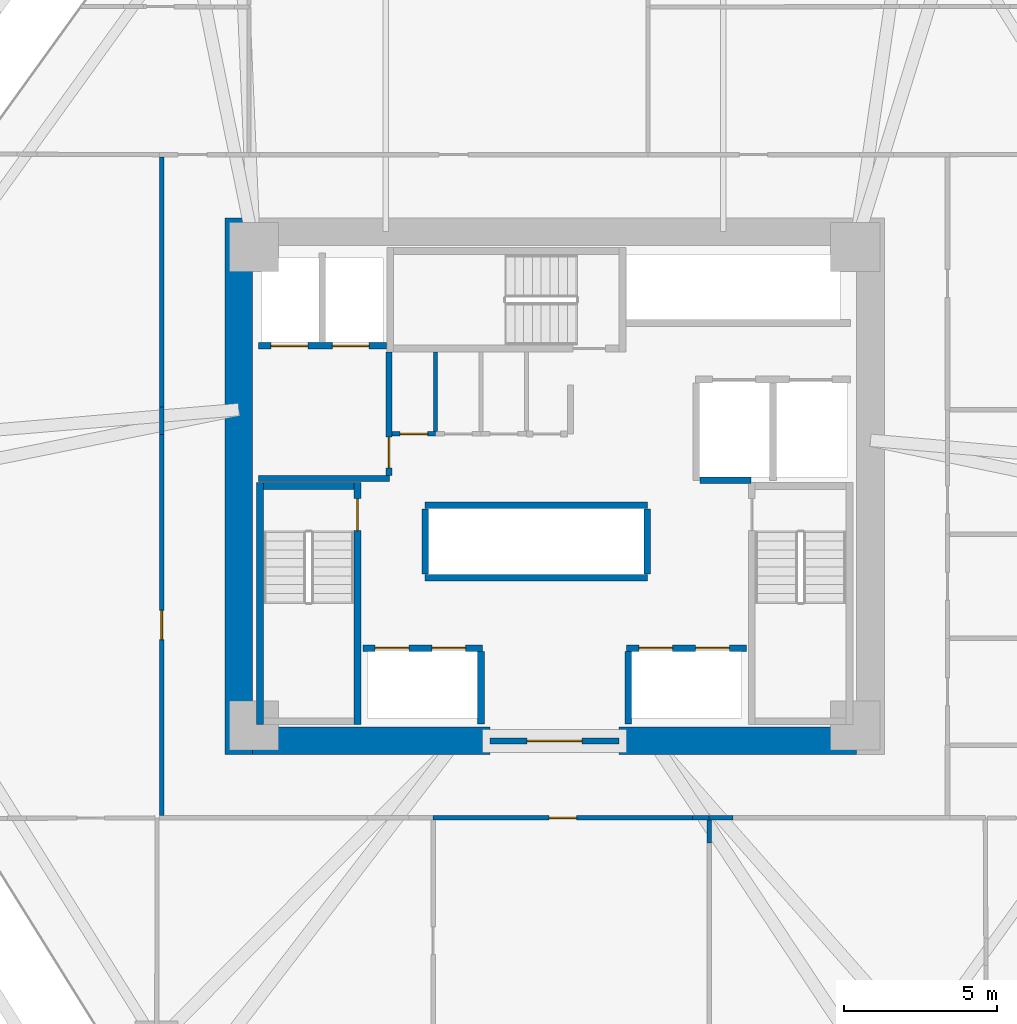
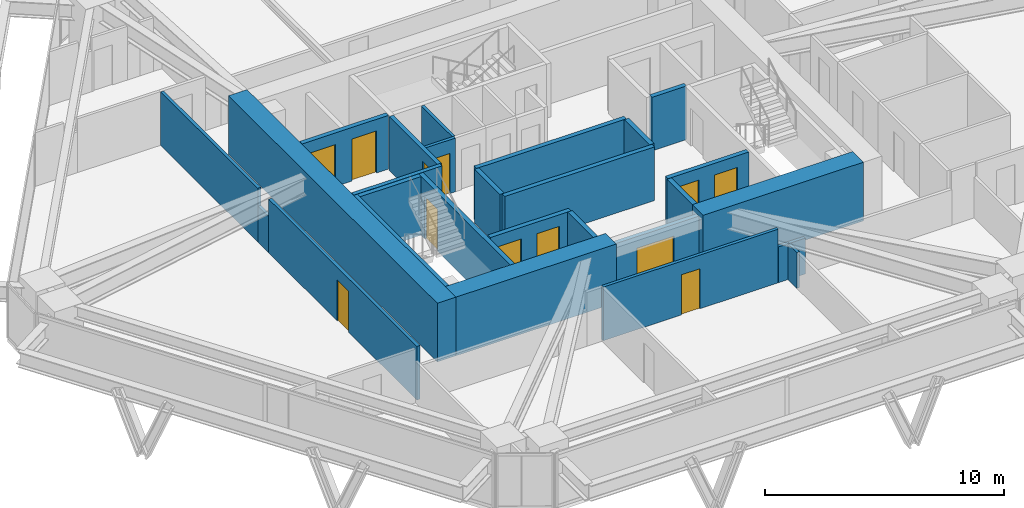
# One storey, part 11 of 15: 28 walls, 12 doors, 12 openings.
"""IFC4 building model written with IfcOpenShell, lengths in metres."""

from ifc_helpers import new_model, si_unit, direction, frame, frame_2d, origin, place, context, subcontext, project, spatial, rectangle, extrude, source, transform, mapped, material, layer, layer_set, type_object, type_shapes, element, fill, save


model = new_model("IFC4")

# Units and contexts
model_context = context("Model", 3, precision=1e-05, world=origin(), true_north=direction((0.0, 1.0)))
body_context = subcontext(model_context, "Body", "Model", "MODEL_VIEW")
ifc_project = project(units=[si_unit("LENGTHUNIT", "METRE"), si_unit("AREAUNIT", "SQUARE_METRE"), si_unit("VOLUMEUNIT", "CUBIC_METRE"), si_unit("PLANEANGLEUNIT", "RADIAN"), si_unit("MASSUNIT", "GRAM", prefix="KILO")], contexts=[model_context])

# Site, building, storey
site_placement = place(None, origin())
site = spatial("IfcSite", under=ifc_project, at=site_placement, CompositionType="ELEMENT")
building_placement = place(site_placement, origin())
building = spatial("IfcBuilding", under=site, at=building_placement, Name="Durnholm Broadcast Tower", CompositionType="ELEMENT")
storey_placement = place(building_placement, frame((0.0, 0.0, 81.300048828125)))
storey = spatial("IfcBuildingStorey", under=building, at=storey_placement, Name="L21", CompositionType="ELEMENT", Elevation=81.300048828125)

# Walls
ifc_material_1 = material(Name="Concrete C70/85", Category="concrete")
ifc_layer_1 = layer(ifc_material_1, 0.89990234375)
ifc_layer_set_1 = layer_set([ifc_layer_1], Name="Concrete C70/85")
wall_type_1 = type_object("IfcWallType", Name="WALL-CW-900", PredefinedType="SHEAR", material=ifc_layer_set_1)
wall_1_placement = place(storey_placement, frame((-10.300048828125, -8.75, 0.0), z_axis=(0.0, 0.0, 1.0), x_axis=(0.0, 1.0, 0.0)))
element("IfcWall", 1, at=wall_1_placement, inside=storey, type_object=wall_type_1, Name="L21 central core shear wall CW-WEST", PredefinedType="SHEAR", context=body_context, shape_type="SweptSolid", body=[
    extrude(rectangle(XDim=17.5, YDim=0.89990234375, at=frame_2d((8.75, 0.0))), origin(), (0.0, 0.0, 1.0), 3.0),
])
for number, where, z_axis, x_axis, name in (
    (2, (-9.85009765625, -8.300048828125, 0.0), (0.0, 0.0, 1.0), (1.0, 0.0, 0.0), "L21 central core shear wall CW-S1"),
    (3, (2.10009765625, -8.300048828125, 0.0), (0.0, 0.0, 1.0), (1.0, 0.0, 0.0), "L21 central core shear wall CW-S2"),
):
    element("IfcWall", number, at=place(storey_placement, frame(where, z_axis=z_axis, x_axis=x_axis)), inside=storey, type_object=wall_type_1, Name=name, PredefinedType="SHEAR", context=body_context, shape_type="SweptSolid", body=[
        extrude(rectangle(XDim=7.75, YDim=0.89990234375, at=frame_2d((3.875, 0.0))), origin(), (0.0, 0.0, 1.0), 3.0),
    ])

# Wall, opening, door
ifc_material_2 = material(Name="Fire-Rated Gypsum Shaftwall", Category="concrete")
ifc_layer_2 = layer(ifc_material_2, 0.199951171875)
ifc_layer_set_2 = layer_set([ifc_layer_2], Name="Fire-Rated Gypsum Shaftwall")
wall_type_2 = type_object("IfcWallType", Name="WALL-LOB-200", PredefinedType="SOLIDWALL", material=ifc_layer_set_2)
wall_2_placement = place(storey_placement, frame((-2.10009765625, -8.300048828125, 0.0), z_axis=(0.0, 0.0, 1.0), x_axis=(1.0, 0.0, 0.0)))
wall_2 = element("IfcWall", 4, at=wall_2_placement, inside=storey, type_object=wall_type_2, Name="L21 south core lobby fire screen", PredefinedType="SOLIDWALL", context=body_context, shape_type="SweptSolid", body=[
    extrude(rectangle(XDim=4.2001953125, YDim=0.199951171875, at=frame_2d((2.10009765625, 0.0))), origin(), (0.0, 0.0, 1.0), 2.744873046875),
])
opening_1_placement = place(wall_2_placement, frame((1.199951171875, 0.0, 0.0)))
opening_1 = element("IfcOpeningElement", 5, at=opening_1_placement, cuts=wall_2, Name="Opening DP-60", PredefinedType="OPENING", context=body_context, shape_type="SweptSolid", body=[
    extrude(rectangle(XDim=1.800048828125, YDim=2.14990234375, at=frame_2d((0.89990234375, 1.074951171875))), frame((0.0, 0.10986328125, 0.0), z_axis=(0.0, -1.0, 0.0), x_axis=(1.0, 0.0, 0.0)), (0.0, 0.0, 1.0), 0.219970703125),
])
ifc_material_3 = material(Name="Fire-Rated Double Corridor Door", Category="steel")
ifc_layer_3 = layer(ifc_material_3, 0.050048828125)
ifc_layer_set_3 = layer_set([ifc_layer_3], Name="Fire-Rated Double Corridor Door")
door_type_1 = type_object("IfcDoorType", Name="DOOR-PAIR-FD60", OperationType="DOUBLE_DOOR_SINGLE_SWING", PredefinedType="DOOR", material=ifc_layer_set_3)
shared_shape_1 = source(origin(), body_context, "Body", "SweptSolid", [
    extrude(rectangle(XDim=1.800048828125, YDim=2.14990234375, at=frame_2d((0.89990234375, 1.074951171875))), frame((0.0, 0.02490234375, 0.0), z_axis=(0.0, -1.0, 0.0), x_axis=(1.0, 0.0, 0.0)), (0.0, 0.0, 1.0), 0.050048828125),
])
type_shapes(door_type_1, [shared_shape_1])
door_1_placement = place(opening_1_placement, origin())
door_1 = element("IfcDoor", 6, at=door_1_placement, inside=storey, type_object=door_type_1, Name="L21 south core lobby double fire door", OperationType="DOUBLE_DOOR_SINGLE_SWING", OverallHeight=2.14990234375, OverallWidth=1.800048828125, PredefinedType="DOOR", context=body_context, shape_type="MappedRepresentation", body=[
    mapped(shared_shape_1, transform((0.0, 0.0, 0.0), x_axis=(1.0, 0.0, 0.0), y_axis=(0.0, 1.0, 0.0), z_axis=(0.0, 0.0, 1.0), scale=1.0)),
])
fill(opening_1, door_1)

# Wall
wall_3_placement = place(storey_placement, frame((-9.64990234375, 0.25, 0.0), z_axis=(0.0, 0.0, 1.0), x_axis=(1.0, 0.0, 0.0)))
element("IfcWall", 7, at=wall_3_placement, inside=storey, type_object=wall_type_2, Name="L21 Fire Service Access Elevator lobby south wall", PredefinedType="SOLIDWALL", context=body_context, shape_type="SweptSolid", body=[
    extrude(rectangle(XDim=4.27001953125, YDim=0.199951171875, at=frame_2d((2.135009765625, 0.0))), origin(), (0.0, 0.0, 1.0), 2.744873046875),
])

# Wall, opening, door
wall_4_placement = place(storey_placement, frame((-5.39990234375, 0.35400390625, 0.0), z_axis=(0.0, 0.0, 1.0), x_axis=(0.0, 1.0, 0.0)))
wall_4 = element("IfcWall", 8, at=wall_4_placement, inside=storey, type_object=wall_type_2, Name="L21 Fire Service Access Elevator lobby east fire wall", PredefinedType="SOLIDWALL", context=body_context, shape_type="SweptSolid", body=[
    extrude(rectangle(XDim=4.02587890625, YDim=0.199951171875, at=frame_2d((2.012939453125, 0.0))), origin(), (0.0, 0.0, 1.0), 2.744873046875),
])
opening_2_placement = place(wall_4_placement, frame((0.24609375, 0.0, 0.0)))
opening_2 = element("IfcOpeningElement", 9, at=opening_2_placement, cuts=wall_4, Name="Opening DL-60R", PredefinedType="OPENING", context=body_context, shape_type="SweptSolid", body=[
    extrude(rectangle(XDim=1.0, YDim=2.14990234375, at=frame_2d((0.5, 1.074951171875))), frame((0.0, 0.10986328125, 0.0), z_axis=(0.0, -1.0, 0.0), x_axis=(1.0, 0.0, 0.0)), (0.0, 0.0, 1.0), 0.219970703125),
])
ifc_material_4 = material(Name="Fire-Rated Timber/Steel Door", Category="steel")
ifc_layer_4 = layer(ifc_material_4, 0.050048828125)
ifc_layer_set_4 = layer_set([ifc_layer_4], Name="Fire-Rated Timber/Steel Door")
door_type_2 = type_object("IfcDoorType", Name="DOOR-LOB-FD60-R", OperationType="NOTDEFINED", PredefinedType="DOOR", material=ifc_layer_set_4)
shared_shape_2 = source(origin(), body_context, "Body", "SweptSolid", [
    extrude(rectangle(XDim=1.0, YDim=2.14990234375, at=frame_2d((0.5, 1.074951171875))), frame((0.0, 0.02490234375, 0.0), z_axis=(0.0, -1.0, 0.0), x_axis=(1.0, 0.0, 0.0)), (0.0, 0.0, 1.0), 0.050048828125),
])
type_shapes(door_type_2, [shared_shape_2])
door_2_placement = place(opening_2_placement, origin())
door_2 = element("IfcDoor", 10, at=door_2_placement, inside=storey, type_object=door_type_2, Name="L21 Fire Service Access Elevator lobby smoke door", OperationType="SINGLE_SWING_RIGHT", OverallHeight=2.14990234375, OverallWidth=1.0, PredefinedType="DOOR", context=body_context, shape_type="MappedRepresentation", body=[
    mapped(shared_shape_2, transform((0.0, 0.0, 0.0), x_axis=(1.0, 0.0, 0.0), y_axis=(0.0, 1.0, 0.0), z_axis=(0.0, 0.0, 1.0), scale=1.0)),
])
fill(opening_2, door_2)

# Walls
ifc_material_5 = material(Name="Gypsum Metal Stud Partition", Category="concrete")
ifc_layer_5 = layer(ifc_material_5, 0.135009765625)
ifc_layer_set_5 = layer_set([ifc_layer_5], Name="Gypsum Metal Stud Partition")
wall_type_3 = type_object("IfcWallType", Name="WALL-PART-135", PredefinedType="PARTITIONING", material=ifc_layer_set_5)
wall_5_placement = place(storey_placement, frame((-3.8798828125, 4.375, 0.0), z_axis=(0.0, 0.0, 1.0), x_axis=(0.0, -1.0, 0.0)))
element("IfcWall", 11, at=wall_5_placement, inside=storey, type_object=wall_type_3, Name="L21 room dividing partition 1.2", PredefinedType="PARTITIONING", context=body_context, shape_type="SweptSolid", body=[
    extrude(rectangle(XDim=2.5859375, YDim=0.135009765625, at=frame_2d((1.29296875, 0.0))), origin(), (0.0, 0.0, 1.0), 2.744873046875),
])
wall_6_placement = place(storey_placement, frame((5.0400390625, -10.888916015625, 0.0), z_axis=(0.0, 0.0, 1.0), x_axis=(0.0, -1.0, 0.0)))
element("IfcWall", 12, at=wall_6_placement, inside=storey, type_object=wall_type_3, Name="L21 room dividing partition 15.16", PredefinedType="PARTITIONING", context=body_context, shape_type="SweptSolid", body=[
    extrude(rectangle(XDim=0.73779296875, YDim=0.135009765625, at=frame_2d((0.368896484375, 0.0))), origin(), (0.0, 0.0, 1.0), 1.830078125),
])

# Wall, opening, door
ifc_material_6 = material(Name="Acoustic Gypsum Stud Partition", Category="concrete")
ifc_layer_6 = layer(ifc_material_6, 0.14990234375)
ifc_layer_set_6 = layer_set([ifc_layer_6], Name="Acoustic Gypsum Stud Partition")
wall_type_4 = type_object("IfcWallType", Name="WALL-PART-150", PredefinedType="PARTITIONING", material=ifc_layer_set_6)
wall_7_placement = place(storey_placement, frame((-3.8798828125, 1.7099609375, 0.0), z_axis=(0.0, 0.0, 1.0), x_axis=(-1.0, 0.0, 0.0)))
wall_7 = element("IfcWall", 13, at=wall_7_placement, inside=storey, type_object=wall_type_4, Name="L21 Core First Aid Store corridor partition", PredefinedType="PARTITIONING", context=body_context, shape_type="SweptSolid", body=[
    extrude(rectangle(XDim=1.416015625, YDim=0.14990234375, at=frame_2d((0.7080078125, 0.0))), origin(), (0.0, 0.0, 1.0), 2.744873046875),
])
opening_3_placement = place(wall_7_placement, frame((0.258056640625, 0.0, 0.0)))
opening_3 = element("IfcOpeningElement", 14, at=opening_3_placement, cuts=wall_7, Name="Opening DC-60R", PredefinedType="OPENING", context=body_context, shape_type="SweptSolid", body=[
    extrude(rectangle(XDim=0.89990234375, YDim=2.050048828125, at=frame_2d((0.449951171875, 1.02490234375))), frame((0.0, 0.0849609375, 0.0), z_axis=(0.0, -1.0, 0.0), x_axis=(1.0, 0.0, 0.0)), (0.0, 0.0, 1.0), 0.169921875),
])
ifc_material_7 = material(Name="Fire-Rated Core Service Door", Category="steel")
ifc_layer_7 = layer(ifc_material_7, 0.050048828125)
ifc_layer_set_7 = layer_set([ifc_layer_7], Name="Fire-Rated Core Service Door")
door_type_3 = type_object("IfcDoorType", Name="DOOR-CORE-FD60-R", OperationType="NOTDEFINED", PredefinedType="DOOR", material=ifc_layer_set_7)
shared_shape_3 = source(origin(), body_context, "Body", "SweptSolid", [
    extrude(rectangle(XDim=0.89990234375, YDim=2.050048828125, at=frame_2d((0.449951171875, 1.02490234375))), frame((0.0, 0.02490234375, 0.0), z_axis=(0.0, -1.0, 0.0), x_axis=(1.0, 0.0, 0.0)), (0.0, 0.0, 1.0), 0.050048828125),
])
type_shapes(door_type_3, [shared_shape_3])
door_3_placement = place(opening_3_placement, origin())
door_3 = element("IfcDoor", 15, at=door_3_placement, inside=storey, type_object=door_type_3, Name="L21 Core First Aid Store entrance door", OperationType="SINGLE_SWING_RIGHT", OverallHeight=2.050048828125, OverallWidth=0.89990234375, PredefinedType="DOOR", context=body_context, shape_type="MappedRepresentation", body=[
    mapped(shared_shape_3, transform((0.0, 0.0, 0.0), x_axis=(1.0, 0.0, 0.0), y_axis=(0.0, 1.0, 0.0), z_axis=(0.0, 0.0, 1.0), scale=1.0)),
])
fill(opening_3, door_3)

wall_8_placement = place(storey_placement, frame((-3.9599609375, -10.81005859375, 0.0), z_axis=(0.0, 0.0, 1.0), x_axis=(1.0, 0.0, 0.0)))
wall_8 = element("IfcWall", 16, at=wall_8_placement, inside=storey, type_object=wall_type_4, Name="L21 Supply Store corridor partition", PredefinedType="PARTITIONING", context=body_context, shape_type="SweptSolid", body=[
    extrude(rectangle(XDim=8.459228515625, YDim=0.14990234375, at=frame_2d((4.2294921875, 0.0))), origin(), (0.0, 0.0, 1.0), 2.744873046875),
])
opening_4_placement = place(wall_8_placement, frame((3.779541015625, 0.0, 0.0)))
opening_4 = element("IfcOpeningElement", 17, at=opening_4_placement, cuts=wall_8, Name="Opening DC-60L", PredefinedType="OPENING", context=body_context, shape_type="SweptSolid", body=[
    extrude(rectangle(XDim=0.89990234375, YDim=2.050048828125, at=frame_2d((0.449951171875, 1.02490234375))), frame((0.0, 0.0849609375, 0.0), z_axis=(0.0, -1.0, 0.0), x_axis=(1.0, 0.0, 0.0)), (0.0, 0.0, 1.0), 0.169921875),
])
ifc_layer_8 = layer(ifc_material_7, 0.050048828125)
ifc_layer_set_8 = layer_set([ifc_layer_8], Name="Fire-Rated Core Service Door")
door_type_4 = type_object("IfcDoorType", Name="DOOR-CORE-FD60-L", OperationType="NOTDEFINED", PredefinedType="DOOR", material=ifc_layer_set_8)
shared_shape_4 = source(origin(), body_context, "Body", "SweptSolid", [
    extrude(rectangle(XDim=0.89990234375, YDim=2.050048828125, at=frame_2d((0.449951171875, 1.02490234375))), frame((0.0, 0.02490234375, 0.0), z_axis=(0.0, -1.0, 0.0), x_axis=(1.0, 0.0, 0.0)), (0.0, 0.0, 1.0), 0.050048828125),
])
type_shapes(door_type_4, [shared_shape_4])
door_4_placement = place(opening_4_placement, origin())
door_4 = element("IfcDoor", 18, at=door_4_placement, inside=storey, type_object=door_type_4, Name="L21 Supply Store entrance door", OperationType="SINGLE_SWING_LEFT", OverallHeight=2.050048828125, OverallWidth=0.89990234375, PredefinedType="DOOR", context=body_context, shape_type="MappedRepresentation", body=[
    mapped(shared_shape_4, transform((0.0, 0.0, 0.0), x_axis=(1.0, 0.0, 0.0), y_axis=(0.0, 1.0, 0.0), z_axis=(0.0, 0.0, 1.0), scale=1.0)),
])
fill(opening_4, door_4)

# Walls
wall_9_placement = place(storey_placement, frame((4.499267578125, -10.81005859375, 0.0), z_axis=(0.0, 0.0, 1.0), x_axis=(1.0, 0.0, 0.0)))
element("IfcWall", 19, at=wall_9_placement, inside=storey, type_object=wall_type_4, Name="L21 Supply Store corridor partition", PredefinedType="PARTITIONING", context=body_context, shape_type="SweptSolid", body=[
    extrude(rectangle(XDim=0.540771484375, YDim=0.14990234375, at=frame_2d((0.2705078125, 0.0))), origin(), (0.0, 0.0, 1.0), 1.830078125),
])
wall_10_placement = place(storey_placement, frame((5.0400390625, -10.81005859375, 0.0), z_axis=(0.0, 0.0, 1.0), x_axis=(1.0, 0.0, 0.0)))
element("IfcWall", 20, at=wall_10_placement, inside=storey, type_object=wall_type_4, Name="L21 Open Plan Broadcast Workspace 4 corridor partition", PredefinedType="PARTITIONING", context=body_context, shape_type="SweptSolid", body=[
    extrude(rectangle(XDim=0.77734375, YDim=0.14990234375, at=frame_2d((0.388671875, 0.0))), origin(), (0.0, 0.0, 1.0), 1.830078125),
])
wall_11_placement = place(storey_placement, frame((-12.81005859375, 10.73095703125, 0.0), z_axis=(0.0, 0.0, 1.0), x_axis=(0.0, -1.0, 0.0)))
element("IfcWall", 21, at=wall_11_placement, inside=storey, type_object=wall_type_4, Name="L21 Bureau Meeting Room corridor partition", PredefinedType="PARTITIONING", context=body_context, shape_type="SweptSolid", body=[
    extrude(rectangle(XDim=8.138671875, YDim=0.14990234375, at=frame_2d((4.0693359375, 0.0))), origin(), (0.0, 0.0, 1.0), 2.744873046875),
])

# Wall, opening, door
wall_12_placement = place(storey_placement, frame((-12.81005859375, 1.682373046875, 0.0), z_axis=(0.0, 0.0, 1.0), x_axis=(0.0, -1.0, 0.0)))
wall_12 = element("IfcWall", 22, at=wall_12_placement, inside=storey, type_object=wall_type_4, Name="L21 Bureau Meeting Room corridor partition", PredefinedType="PARTITIONING", context=body_context, shape_type="SweptSolid", body=[
    extrude(rectangle(XDim=12.413330078125, YDim=0.14990234375, at=frame_2d((6.20654296875, 0.0))), origin(), (0.0, 0.0, 1.0), 2.744873046875),
])
opening_5_placement = place(wall_12_placement, frame((5.731689453125, 0.0, 0.0)))
opening_5 = element("IfcOpeningElement", 23, at=opening_5_placement, cuts=wall_12, Name="Opening DR-95R", PredefinedType="OPENING", context=body_context, shape_type="SweptSolid", body=[
    extrude(rectangle(XDim=0.949951171875, YDim=2.10009765625, at=frame_2d((0.47509765625, 1.050048828125))), frame((0.0, 0.0849609375, 0.0), z_axis=(0.0, -1.0, 0.0), x_axis=(1.0, 0.0, 0.0)), (0.0, 0.0, 1.0), 0.169921875),
])
ifc_material_8 = material(Name="Acoustic Oak Veneer Timber Door", Category="wood")
ifc_layer_9 = layer(ifc_material_8, 0.050048828125)
ifc_layer_set_9 = layer_set([ifc_layer_9], Name="Acoustic Oak Veneer Timber Door")
door_type_5 = type_object("IfcDoorType", Name="DOOR-RM-950R", OperationType="NOTDEFINED", PredefinedType="DOOR", material=ifc_layer_set_9)
shared_shape_5 = source(origin(), body_context, "Body", "SweptSolid", [
    extrude(rectangle(XDim=0.949951171875, YDim=2.10009765625, at=frame_2d((0.47509765625, 1.050048828125))), frame((0.0, 0.02490234375, 0.0), z_axis=(0.0, -1.0, 0.0), x_axis=(1.0, 0.0, 0.0)), (0.0, 0.0, 1.0), 0.050048828125),
])
type_shapes(door_type_5, [shared_shape_5])
door_5_placement = place(opening_5_placement, origin())
door_5 = element("IfcDoor", 24, at=door_5_placement, inside=storey, type_object=door_type_5, Name="L21 Bureau Meeting Room entrance door", OperationType="SINGLE_SWING_RIGHT", OverallHeight=2.10009765625, OverallWidth=0.949951171875, PredefinedType="DOOR", context=body_context, shape_type="MappedRepresentation", body=[
    mapped(shared_shape_5, transform((0.0, 0.0, 0.0), x_axis=(1.0, 0.0, 0.0), y_axis=(0.0, 1.0, 0.0), z_axis=(0.0, 0.0, 1.0), scale=1.0)),
])
fill(opening_5, door_5)

# Wall
wall_13_placement = place(storey_placement, frame((-12.81005859375, 2.59228515625, 0.0), z_axis=(0.0, 0.0, 1.0), x_axis=(0.0, -1.0, 0.0)))
element("IfcWall", 25, at=wall_13_placement, inside=storey, type_object=wall_type_4, Name="L21 Bureau Meeting Room corridor partition", PredefinedType="PARTITIONING", context=body_context, shape_type="SweptSolid", body=[
    extrude(rectangle(XDim=0.909912109375, YDim=0.14990234375, at=frame_2d((0.455078125, 0.0))), origin(), (0.0, 0.0, 1.0), 1.830078125),
])

# Wall, openings, doors
ifc_material_9 = material(Name="Concrete Blockwork C30/37", Category="masonry")
ifc_layer_10 = layer(ifc_material_9, 0.219970703125)
ifc_layer_set_10 = layer_set([ifc_layer_10], Name="Concrete Blockwork C30/37")
wall_type_5 = type_object("IfcWallType", Name="WALL-SHAFT-220", PredefinedType="SOLIDWALL", material=ifc_layer_set_10)
wall_14_placement = place(storey_placement, frame((-9.64990234375, 4.580078125, 0.0), z_axis=(0.0, 0.0, 1.0), x_axis=(1.0, 0.0, 0.0)))
wall_14 = element("IfcWall", 26, at=wall_14_placement, inside=storey, type_object=wall_type_5, Name="L21 FSAE hoistway front fire wall", PredefinedType="SOLIDWALL", context=body_context, shape_type="SweptSolid", body=[
    extrude(rectangle(XDim=4.1748046875, YDim=0.219970703125, at=frame_2d((2.08740234375, 0.0))), origin(), (0.0, 0.0, 1.0), 2.744873046875),
])
opening_6_placement = place(wall_14_placement, frame((0.39990234375, 0.0, 0.0)))
opening_6 = element("IfcOpeningElement", 27, at=opening_6_placement, cuts=wall_14, Name="Opening LD-FSAE-2", PredefinedType="OPENING", context=body_context, shape_type="SweptSolid", body=[
    extrude(rectangle(XDim=1.199951171875, YDim=2.14990234375, at=frame_2d((0.60009765625, 1.074951171875))), frame((0.0, 0.1201171875, 0.0), z_axis=(0.0, -1.0, 0.0), x_axis=(1.0, 0.0, 0.0)), (0.0, 0.0, 1.0), 0.239990234375),
])
opening_7_placement = place(wall_14_placement, frame((2.39990234375, 0.0, 0.0)))
opening_7 = element("IfcOpeningElement", 28, at=opening_7_placement, cuts=wall_14, Name="Opening LD-FSAE-1", PredefinedType="OPENING", context=body_context, shape_type="SweptSolid", body=[
    extrude(rectangle(XDim=1.199951171875, YDim=2.14990234375, at=frame_2d((0.60009765625, 1.074951171875))), frame((0.0, 0.1201171875, 0.0), z_axis=(0.0, -1.0, 0.0), x_axis=(1.0, 0.0, 0.0)), (0.0, 0.0, 1.0), 0.239990234375),
])
ifc_material_10 = material(Name="Fire Service Access Sliding Landing Door", Category="steel")
ifc_layer_11 = layer(ifc_material_10, 0.050048828125)
ifc_layer_set_11 = layer_set([ifc_layer_11], Name="Fire Service Access Sliding Landing Door")
door_type_6 = type_object("IfcDoorType", Name="DOOR-LIFT-FSAE", OperationType="DOUBLE_DOOR_SLIDING", PredefinedType="DOOR", material=ifc_layer_set_11)
shared_shape_6 = source(origin(), body_context, "Body", "SweptSolid", [
    extrude(rectangle(XDim=1.199951171875, YDim=2.14990234375, at=frame_2d((0.60009765625, 1.074951171875))), frame((0.0, 0.02490234375, 0.0), z_axis=(0.0, -1.0, 0.0), x_axis=(1.0, 0.0, 0.0)), (0.0, 0.0, 1.0), 0.050048828125),
])
type_shapes(door_type_6, [shared_shape_6])
door_6_placement = place(opening_6_placement, origin())
door_6 = element("IfcDoor", 29, at=door_6_placement, inside=storey, type_object=door_type_6, Name="L21 Fire Service Access Elevator FSAE-2 sliding landing door", OperationType="DOUBLE_DOOR_SLIDING", OverallHeight=2.14990234375, OverallWidth=1.199951171875, PredefinedType="DOOR", context=body_context, shape_type="MappedRepresentation", body=[
    mapped(shared_shape_6, transform((0.0, 0.0, 0.0), x_axis=(1.0, 0.0, 0.0), y_axis=(0.0, 1.0, 0.0), z_axis=(0.0, 0.0, 1.0), scale=1.0)),
])
fill(opening_6, door_6)
door_7_placement = place(opening_7_placement, origin())
door_7 = element("IfcDoor", 30, at=door_7_placement, inside=storey, type_object=door_type_6, Name="L21 Fire Service Access Elevator FSAE-1 sliding landing door", OperationType="DOUBLE_DOOR_SLIDING", OverallHeight=2.14990234375, OverallWidth=1.199951171875, PredefinedType="DOOR", context=body_context, shape_type="MappedRepresentation", body=[
    mapped(shared_shape_6, transform((0.0, 0.0, 0.0), x_axis=(1.0, 0.0, 0.0), y_axis=(0.0, 1.0, 0.0), z_axis=(0.0, 0.0, 1.0), scale=1.0)),
])
fill(opening_7, door_7)

# Wall
wall_15_placement = place(storey_placement, frame((4.73388671875, 0.199951171875, 0.0), z_axis=(0.0, 0.0, 1.0), x_axis=(1.0, 0.0, 0.0)))
element("IfcWall", 31, at=wall_15_placement, inside=storey, type_object=wall_type_5, Name="L21 freight service lift SVL-2 south wall", PredefinedType="SOLIDWALL", context=body_context, shape_type="SweptSolid", body=[
    extrude(rectangle(XDim=1.666015625, YDim=0.219970703125, at=frame_2d((0.8330078125, 0.0))), origin(), (0.0, 0.0, 1.0), 2.744873046875),
])

# Wall, openings, doors
wall_16_placement = place(storey_placement, frame((-6.25, -5.280029296875, 0.0), z_axis=(0.0, 0.0, 1.0), x_axis=(1.0, 0.0, 0.0)))
wall_16 = element("IfcWall", 32, at=wall_16_placement, inside=storey, type_object=wall_type_5, Name="L21 low-rise bank P1 west front wall", PredefinedType="SOLIDWALL", context=body_context, shape_type="SweptSolid", body=[
    extrude(rectangle(XDim=3.89990234375, YDim=0.219970703125, at=frame_2d((1.949951171875, 0.0))), origin(), (0.0, 0.0, 1.0), 2.744873046875),
])
opening_8_placement = place(wall_16_placement, frame((0.39990234375, 0.0, 0.0)))
opening_8 = element("IfcOpeningElement", 33, at=opening_8_placement, cuts=wall_16, Name="Opening LD-LP1-1", PredefinedType="OPENING", context=body_context, shape_type="SweptSolid", body=[
    extrude(rectangle(XDim=1.10009765625, YDim=2.14990234375, at=frame_2d((0.550048828125, 1.074951171875))), frame((0.0, 0.1201171875, 0.0), z_axis=(0.0, -1.0, 0.0), x_axis=(1.0, 0.0, 0.0)), (0.0, 0.0, 1.0), 0.239990234375),
])
opening_9_placement = place(wall_16_placement, frame((2.25, 0.0, 0.0)))
opening_9 = element("IfcOpeningElement", 34, at=opening_9_placement, cuts=wall_16, Name="Opening LD-LP1-2", PredefinedType="OPENING", context=body_context, shape_type="SweptSolid", body=[
    extrude(rectangle(XDim=1.10009765625, YDim=2.14990234375, at=frame_2d((0.550048828125, 1.074951171875))), frame((0.0, 0.1201171875, 0.0), z_axis=(0.0, -1.0, 0.0), x_axis=(1.0, 0.0, 0.0)), (0.0, 0.0, 1.0), 0.239990234375),
])
ifc_material_11 = material(Name="Stainless Steel Sliding Elevator Landing Door", Category="steel")
ifc_layer_12 = layer(ifc_material_11, 0.050048828125)
ifc_layer_set_12 = layer_set([ifc_layer_12], Name="Stainless Steel Sliding Elevator Landing Door")
door_type_7 = type_object("IfcDoorType", Name="DOOR-LIFT-PAX", OperationType="DOUBLE_DOOR_SLIDING", PredefinedType="DOOR", material=ifc_layer_set_12)
shared_shape_7 = source(origin(), body_context, "Body", "SweptSolid", [
    extrude(rectangle(XDim=1.10009765625, YDim=2.14990234375, at=frame_2d((0.550048828125, 1.074951171875))), frame((0.0, 0.02490234375, 0.0), z_axis=(0.0, -1.0, 0.0), x_axis=(1.0, 0.0, 0.0)), (0.0, 0.0, 1.0), 0.050048828125),
])
type_shapes(door_type_7, [shared_shape_7])
door_8_placement = place(opening_8_placement, origin())
door_8 = element("IfcDoor", 35, at=door_8_placement, inside=storey, type_object=door_type_7, Name="L21 passenger elevator LP1-1 sliding landing door", OperationType="DOUBLE_DOOR_SLIDING", OverallHeight=2.14990234375, OverallWidth=1.10009765625, PredefinedType="DOOR", context=body_context, shape_type="MappedRepresentation", body=[
    mapped(shared_shape_7, transform((0.0, 0.0, 0.0), x_axis=(1.0, 0.0, 0.0), y_axis=(0.0, 1.0, 0.0), z_axis=(0.0, 0.0, 1.0), scale=1.0)),
])
fill(opening_8, door_8)
door_9_placement = place(opening_9_placement, origin())
door_9 = element("IfcDoor", 36, at=door_9_placement, inside=storey, type_object=door_type_7, Name="L21 passenger elevator LP1-2 sliding landing door", OperationType="DOUBLE_DOOR_SLIDING", OverallHeight=2.14990234375, OverallWidth=1.10009765625, PredefinedType="DOOR", context=body_context, shape_type="MappedRepresentation", body=[
    mapped(shared_shape_7, transform((0.0, 0.0, 0.0), x_axis=(1.0, 0.0, 0.0), y_axis=(0.0, 1.0, 0.0), z_axis=(0.0, 0.0, 1.0), scale=1.0)),
])
fill(opening_9, door_9)

wall_17_placement = place(storey_placement, frame((2.35009765625, -5.280029296875, 0.0), z_axis=(0.0, 0.0, 1.0), x_axis=(1.0, 0.0, 0.0)))
wall_17 = element("IfcWall", 37, at=wall_17_placement, inside=storey, type_object=wall_type_5, Name="L21 low-rise bank P1 east front wall", PredefinedType="SOLIDWALL", context=body_context, shape_type="SweptSolid", body=[
    extrude(rectangle(XDim=3.89990234375, YDim=0.219970703125, at=frame_2d((1.949951171875, 0.0))), origin(), (0.0, 0.0, 1.0), 2.744873046875),
])
opening_10_placement = place(wall_17_placement, frame((0.39990234375, 0.0, 0.0)))
opening_10 = element("IfcOpeningElement", 38, at=opening_10_placement, cuts=wall_17, Name="Opening LD-LP1-3", PredefinedType="OPENING", context=body_context, shape_type="SweptSolid", body=[
    extrude(rectangle(XDim=1.10009765625, YDim=2.14990234375, at=frame_2d((0.550048828125, 1.074951171875))), frame((0.0, 0.1201171875, 0.0), z_axis=(0.0, -1.0, 0.0), x_axis=(1.0, 0.0, 0.0)), (0.0, 0.0, 1.0), 0.239990234375),
])
opening_11_placement = place(wall_17_placement, frame((2.25, 0.0, 0.0)))
opening_11 = element("IfcOpeningElement", 39, at=opening_11_placement, cuts=wall_17, Name="Opening LD-LP1-4", PredefinedType="OPENING", context=body_context, shape_type="SweptSolid", body=[
    extrude(rectangle(XDim=1.10009765625, YDim=2.14990234375, at=frame_2d((0.550048828125, 1.074951171875))), frame((0.0, 0.1201171875, 0.0), z_axis=(0.0, -1.0, 0.0), x_axis=(1.0, 0.0, 0.0)), (0.0, 0.0, 1.0), 0.239990234375),
])
door_10_placement = place(opening_10_placement, origin())
door_10 = element("IfcDoor", 40, at=door_10_placement, inside=storey, type_object=door_type_7, Name="L21 passenger elevator LP1-3 sliding landing door", OperationType="DOUBLE_DOOR_SLIDING", OverallHeight=2.14990234375, OverallWidth=1.10009765625, PredefinedType="DOOR", context=body_context, shape_type="MappedRepresentation", body=[
    mapped(shared_shape_7, transform((0.0, 0.0, 0.0), x_axis=(1.0, 0.0, 0.0), y_axis=(0.0, 1.0, 0.0), z_axis=(0.0, 0.0, 1.0), scale=1.0)),
])
fill(opening_10, door_10)
door_11_placement = place(opening_11_placement, origin())
door_11 = element("IfcDoor", 41, at=door_11_placement, inside=storey, type_object=door_type_7, Name="L21 passenger elevator LP1-4 sliding landing door", OperationType="DOUBLE_DOOR_SLIDING", OverallHeight=2.14990234375, OverallWidth=1.10009765625, PredefinedType="DOOR", context=body_context, shape_type="MappedRepresentation", body=[
    mapped(shared_shape_7, transform((0.0, 0.0, 0.0), x_axis=(1.0, 0.0, 0.0), y_axis=(0.0, 1.0, 0.0), z_axis=(0.0, 0.0, 1.0), scale=1.0)),
])
fill(opening_11, door_11)

# Walls
for number, where, z_axis, x_axis, name in (
    (42, (-2.39990234375, -7.75, 0.0), (0.0, 0.0, 1.0), (0.0, 1.0, 0.0), "L21 low-rise bank P1 west mouth wall"),
    (43, (2.39990234375, -7.75, 0.0), (0.0, 0.0, 1.0), (0.0, 1.0, 0.0), "L21 low-rise bank P1 east mouth wall"),
):
    element("IfcWall", number, at=place(storey_placement, frame(where, z_axis=z_axis, x_axis=x_axis)), inside=storey, type_object=wall_type_5, Name=name, PredefinedType="SOLIDWALL", context=body_context, shape_type="SweptSolid", body=[
        extrude(rectangle(XDim=2.35595703125, YDim=0.219970703125, at=frame_2d((1.177978515625, 0.0))), origin(), (0.0, 0.0, 1.0), 2.744873046875),
    ])
for number, where, z_axis, x_axis, name in (
    (44, (-4.219970703125, -2.97998046875, 0.0), (0.0, 0.0, 1.0), (1.0, 0.0, 0.0), "L21 mid-rise bank P2 south front wall"),
    (45, (-4.219970703125, -0.6201171875, 0.0), (0.0, 0.0, 1.0), (1.0, 0.0, 0.0), "L21 mid-rise bank P2 north shaft wall"),
):
    element("IfcWall", number, at=place(storey_placement, frame(where, z_axis=z_axis, x_axis=x_axis)), inside=storey, type_object=wall_type_5, Name=name, PredefinedType="SOLIDWALL", context=body_context, shape_type="SweptSolid", body=[
        extrude(rectangle(XDim=7.239990234375, YDim=0.219970703125, at=frame_2d((3.6201171875, 0.0))), origin(), (0.0, 0.0, 1.0), 2.744873046875),
    ])
for number, where, z_axis, x_axis, name in (
    (46, (-4.219970703125, -2.865966796875, 0.0), (0.0, 0.0, 1.0), (0.0, 1.0, 0.0), "L21 mid-rise bank P2 west shaft wall"),
    (47, (3.02001953125, -2.865966796875, 0.0), (0.0, 0.0, 1.0), (0.0, 1.0, 0.0), "L21 mid-rise bank P2 east shaft wall"),
):
    element("IfcWall", number, at=place(storey_placement, frame(where, z_axis=z_axis, x_axis=x_axis)), inside=storey, type_object=wall_type_5, Name=name, PredefinedType="SOLIDWALL", context=body_context, shape_type="SweptSolid", body=[
        extrude(rectangle(XDim=2.132080078125, YDim=0.219970703125, at=frame_2d((1.06591796875, 0.0))), origin(), (0.0, 0.0, 1.0), 2.744873046875),
    ])

# Wall, opening, door
ifc_material_12 = material(Name="Concrete C50/60", Category="concrete")
ifc_layer_13 = layer(ifc_material_12, 0.219970703125)
ifc_layer_set_13 = layer_set([ifc_layer_13], Name="Concrete C50/60")
wall_type_6 = type_object("IfcWallType", Name="WALL-SW-220", PredefinedType="SHEAR", material=ifc_layer_set_13)
wall_18_placement = place(storey_placement, frame((-6.429931640625, -7.77001953125, -0.239990234375), z_axis=(0.0, 0.0, 1.0), x_axis=(0.0, 1.0, 0.0)))
wall_18 = element("IfcWall", 48, at=wall_18_placement, inside=storey, type_object=wall_type_6, Name="L21 stair ST-1 structural shaft wall E", PredefinedType="SHEAR", context=body_context, shape_type="SweptSolid", body=[
    extrude(rectangle(XDim=7.89013671875, YDim=0.219970703125, at=frame_2d((3.945068359375, 0.0))), origin(), (0.0, 0.0, 1.0), 3.0),
])
opening_12_placement = place(wall_18_placement, frame((6.320068359375, 0.0, 0.0)))
opening_12 = element("IfcOpeningElement", 49, at=opening_12_placement, cuts=wall_18, Name="Opening DS-90L", PredefinedType="OPENING", context=body_context, shape_type="SweptSolid", body=[
    extrude(rectangle(XDim=1.050048828125, YDim=2.14990234375, at=frame_2d((0.52490234375, 1.074951171875))), frame((0.0, 0.1201171875, 0.0), z_axis=(0.0, -1.0, 0.0), x_axis=(1.0, 0.0, 0.0)), (0.0, 0.0, 1.0), 0.239990234375),
])
ifc_material_13 = material(Name="Fire-Rated Steel Door", Category="steel")
ifc_layer_14 = layer(ifc_material_13, 0.050048828125)
ifc_layer_set_14 = layer_set([ifc_layer_14], Name="Fire-Rated Steel Door")
door_type_8 = type_object("IfcDoorType", Name="DOOR-ST-FD90-L", OperationType="NOTDEFINED", PredefinedType="DOOR", material=ifc_layer_set_14)
shared_shape_8 = source(origin(), body_context, "Body", "SweptSolid", [
    extrude(rectangle(XDim=1.050048828125, YDim=2.14990234375, at=frame_2d((0.52490234375, 1.074951171875))), frame((0.0, 0.02490234375, 0.0), z_axis=(0.0, -1.0, 0.0), x_axis=(1.0, 0.0, 0.0)), (0.0, 0.0, 1.0), 0.050048828125),
])
type_shapes(door_type_8, [shared_shape_8])
door_12_placement = place(opening_12_placement, origin())
door_12 = element("IfcDoor", 50, at=door_12_placement, inside=storey, type_object=door_type_8, Name="L21 exit stair ST-1 fire door", OperationType="SINGLE_SWING_LEFT", OverallHeight=2.14990234375, OverallWidth=1.050048828125, PredefinedType="DOOR", context=body_context, shape_type="MappedRepresentation", body=[
    mapped(shared_shape_8, transform((0.0, 0.0, 0.0), x_axis=(1.0, 0.0, 0.0), y_axis=(0.0, 1.0, 0.0), z_axis=(0.0, 0.0, 1.0), scale=1.0)),
])
fill(opening_12, door_12)

# Walls
wall_19_placement = place(storey_placement, frame((-9.610107421875, 0.1201171875, -0.239990234375), z_axis=(0.0, 0.0, 1.0), x_axis=(0.0, -1.0, 0.0)))
element("IfcWall", 51, at=wall_19_placement, inside=storey, type_object=wall_type_6, Name="L21 stair ST-1 structural shaft wall W", PredefinedType="SHEAR", context=body_context, shape_type="SweptSolid", body=[
    extrude(rectangle(XDim=7.89013671875, YDim=0.219970703125, at=frame_2d((3.945068359375, 0.0))), origin(), (0.0, 0.0, 1.0), 3.0),
])
wall_20_placement = place(storey_placement, frame((-6.5400390625, 0.010009765625, -0.239990234375), z_axis=(0.0, 0.0, 1.0), x_axis=(-1.0, 0.0, 0.0)))
element("IfcWall", 52, at=wall_20_placement, inside=storey, type_object=wall_type_6, Name="L21 stair ST-1 structural shaft wall N", PredefinedType="SHEAR", context=body_context, shape_type="SweptSolid", body=[
    extrude(rectangle(XDim=2.9599609375, YDim=0.219970703125, at=frame_2d((1.47998046875, 0.0))), origin(), (0.0, 0.0, 1.0), 3.0),
])

save(model, "model.ifc")
